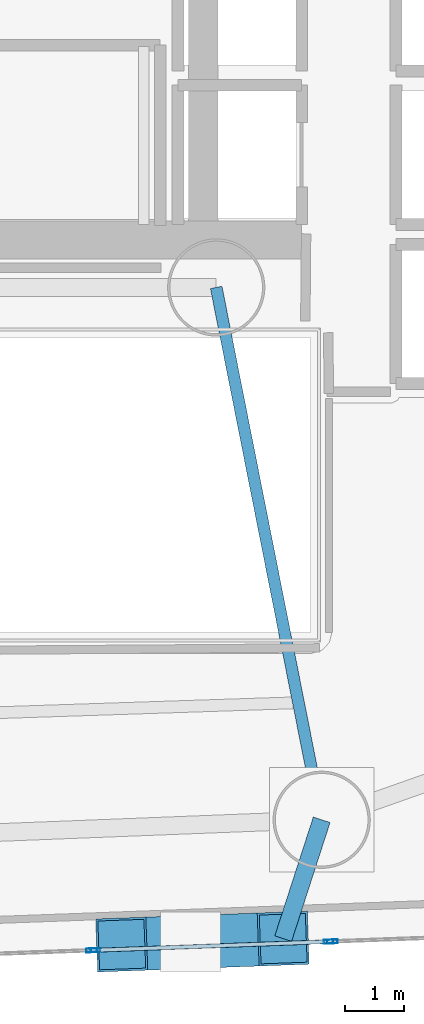
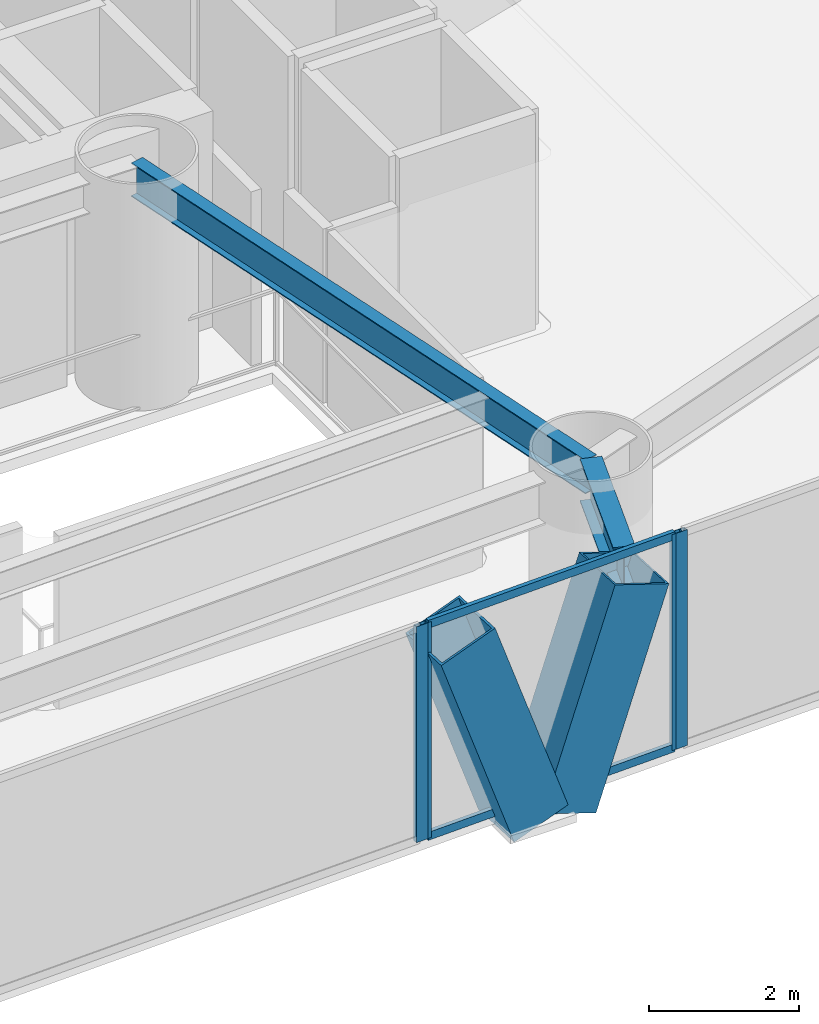
# One storey, part 6 of 23: 8 members, 2 beams, 3 elements without a shape of their own.
"""IFC4 building model written with IfcOpenShell, lengths in metres."""

from ifc_helpers import new_model, si_unit, direction, frame, origin, origin_2d, place, context, subcontext, project, spatial, hollow_rectangle, i_section, extrude, material, layer, layer_set, material_profile, profile_set, type_object, element, aggregate, save


model = new_model("IFC4")

# Units and contexts
model_context = context("Model", 3, precision=1e-05, world=origin(), true_north=direction((0.0, 1.0)))
body_context = subcontext(model_context, "Body", "Model", "MODEL_VIEW")
ifc_project = project(units=[si_unit("LENGTHUNIT", "METRE"), si_unit("AREAUNIT", "SQUARE_METRE"), si_unit("VOLUMEUNIT", "CUBIC_METRE"), si_unit("PLANEANGLEUNIT", "RADIAN"), si_unit("MASSUNIT", "GRAM", prefix="KILO")], contexts=[model_context])

# Site, building, storey
site_placement = place(None, origin())
site = spatial("IfcSite", under=ifc_project, at=site_placement, CompositionType="ELEMENT")
building_placement = place(site_placement, origin())
building = spatial("IfcBuilding", under=site, at=building_placement, Name="Qianvela Tower", CompositionType="ELEMENT")
storey_placement = place(building_placement, frame((0.0, 0.0, 52.5)))
storey = spatial("IfcBuildingStorey", under=building, at=storey_placement, Name="L12", CompositionType="ELEMENT", Elevation=52.5)

# Beams
ifc_material_1 = material(Name="Steel Q355B", Category="steel")
ifc_material_profile_1 = material_profile(ifc_material_1, i_section(OverallWidth=0.199951171875, OverallDepth=0.550048828125, WebThickness=0.010009765625, FlangeThickness=0.01611328125, at=origin_2d()), Name="HN550x200x10x16")
ifc_profile_set_1 = profile_set([ifc_material_profile_1], Name="Steel Q355B")
beam_type_1 = type_object("IfcBeamType", Name="BM-HN550-GIRD", PredefinedType="BEAM", material=ifc_profile_set_1)
beam_1_placement = place(storey_placement, frame((38.39990234375, 23.85009765625, 3.242919921875), z_axis=(0.194325825688, -0.980937038485, 0.0), x_axis=(0.980937038485, 0.194325825688, 0.0)))
element("IfcBeam", 1, at=beam_1_placement, inside=storey, type_object=beam_type_1, Name="L12 Radial Primary Floor Girder 6", PredefinedType="BEAM", context=body_context, shape_type="SweptSolid", body=[
    extrude(i_section(OverallWidth=0.199951171875, OverallDepth=0.550048828125, WebThickness=0.010009765625, FlangeThickness=0.01611328125, at=origin_2d()), origin(), (0.0, 0.0, 1.0), 9.20654296875),
])
ifc_material_2 = material(Name="Steel Q355B", Category="steel")
ifc_material_profile_2 = material_profile(ifc_material_2, i_section(OverallWidth=0.300048828125, OverallDepth=0.699951171875, WebThickness=0.012939453125, FlangeThickness=0.02392578125, at=origin_2d()), Name="HN700x300x13x24")
ifc_profile_set_2 = profile_set([ifc_material_profile_2], Name="Steel Q355B")
beam_type_2 = type_object("IfcBeamType", Name="BM-HN700-SPAND", PredefinedType="SPANDREL", material=ifc_profile_set_2)
beam_2_placement = place(storey_placement, frame((40.18896484375, 14.819091796875, 3.16796875), z_axis=(-0.308163794717, -0.951333314683, 0.0), x_axis=(0.951333314683, -0.308163794717, 0.0)))
element("IfcBeam", 2, at=beam_2_placement, inside=storey, type_object=beam_type_2, Name="L12 Mega-Brace Column Tie Bracket F3-2", PredefinedType="SPANDREL", context=body_context, shape_type="SweptSolid", body=[
    extrude(i_section(OverallWidth=0.300048828125, OverallDepth=0.699951171875, WebThickness=0.012939453125, FlangeThickness=0.02392578125, at=origin_2d()), origin(), (0.0, 0.0, 1.0), 2.119140625),
])

# Curtain wall, members
ifc_material_3 = material(Name="Anodised Architectural Aluminium and Insulated Spandrel Panel", Category="aluminium")
ifc_layer_1 = layer(ifc_material_3, 0.179931640625)
ifc_layer_set_1 = layer_set([ifc_layer_1], Name="Anodised Architectural Aluminium and Insulated Spandrel Panel")
curtain_wall_type_1 = type_object("IfcCurtainWallType", Name="CW-BRACEBAY", PredefinedType="USERDEFINED", material=ifc_layer_set_1)
curtain_wall_1_placement = place(storey_placement, origin())
curtain_wall_1 = element("IfcCurtainWall", 3, at=curtain_wall_1_placement, inside=storey, type_object=curtain_wall_type_1, Name="L12 CW-BRACEBAY Curtain Wall 06B", ObjectType="CURTAIN_WALL_SYSTEM", PredefinedType="USERDEFINED")
ifc_material_4 = material(Name="Anodised Architectural Aluminium 6063-T6", Category="aluminium")
ifc_material_profile_3 = material_profile(ifc_material_4, hollow_rectangle(XDim=0.06494140625, YDim=0.159912109375, WallThickness=0.0048828125, at=origin_2d()), Name="ALU-MULL-65x160")
ifc_profile_set_3 = profile_set([ifc_material_profile_3], Name="Anodised Architectural Aluminium 6063-T6")
member_type_1 = type_object("IfcMemberType", Name="CW-BRACEBAY-MULL", PredefinedType="MULLION", material=ifc_profile_set_3)
member_1_placement = place(storey_placement, frame((36.35205078125, 12.605712890625, 0.0), z_axis=(0.0, 0.0, 1.0), x_axis=(-0.036865372203, 0.99932024113, 0.0)))
member_1 = element("IfcMember", 4, at=member_1_placement, type_object=member_type_1, Name="CW-9 mullion 1", PredefinedType="MULLION", context=body_context, shape_type="SweptSolid", body=[
    extrude(hollow_rectangle(XDim=0.06494140625, YDim=0.159912109375, WallThickness=0.0048828125, at=origin_2d()), origin(), (0.0, 0.0, 1.0), 3.52001953125),
])
member_2_placement = place(storey_placement, frame((40.304443359375, 12.75146484375, 0.0), z_axis=(0.0, 0.0, 1.0), x_axis=(-0.036865372203, 0.99932024113, 0.0)))
member_2 = element("IfcMember", 5, at=member_2_placement, type_object=member_type_1, Name="CW-9 mullion 2", PredefinedType="MULLION", context=body_context, shape_type="SweptSolid", body=[
    extrude(hollow_rectangle(XDim=0.06494140625, YDim=0.159912109375, WallThickness=0.0048828125, at=origin_2d()), origin(), (0.0, 0.0, 1.0), 3.52001953125),
])
ifc_material_5 = material(Name="Anodised Architectural Aluminium 6063-T6", Category="aluminium")
ifc_material_profile_4 = material_profile(ifc_material_5, hollow_rectangle(XDim=0.06494140625, YDim=0.1298828125, WallThickness=0.00439453125, at=origin_2d()), Name="ALU-TRAN-65x130")
ifc_profile_set_4 = profile_set([ifc_material_profile_4], Name="Anodised Architectural Aluminium 6063-T6")
member_type_2 = type_object("IfcMemberType", Name="CW-BRACEBAY-TRAN", PredefinedType="USERDEFINED", material=ifc_profile_set_4)
member_3_placement = place(storey_placement, frame((36.384521484375, 12.606689453125, 0.032470703125), z_axis=(0.999318868489, 0.036902561997, 0.0), x_axis=(-0.036902561997, 0.999318868489, 0.0)))
member_3 = element("IfcMember", 6, at=member_3_placement, type_object=member_type_2, Name="CW-9 transom 1.1", ObjectType="TRANSOM", PredefinedType="USERDEFINED", context=body_context, shape_type="SweptSolid", body=[
    extrude(hollow_rectangle(XDim=0.06494140625, YDim=0.1298828125, WallThickness=0.00439453125, at=origin_2d()), origin(), (0.0, 0.0, 1.0), 3.89013671875),
])
member_4_placement = place(storey_placement, frame((36.384521484375, 12.606689453125, 3.487548828125), z_axis=(0.999318868489, 0.036902561997, 0.0), x_axis=(-0.036902561997, 0.999318868489, 0.0)))
member_4 = element("IfcMember", 7, at=member_4_placement, type_object=member_type_2, Name="CW-9 transom 1.2", ObjectType="TRANSOM", PredefinedType="USERDEFINED", context=body_context, shape_type="SweptSolid", body=[
    extrude(hollow_rectangle(XDim=0.06494140625, YDim=0.1298828125, WallThickness=0.00439453125, at=origin_2d()), origin(), (0.0, 0.0, 1.0), 3.89013671875),
])
aggregate(curtain_wall_1, [member_1, member_2, member_3, member_4])

# Curtain wall, member
ifc_material_6 = material(Name="Anodised Architectural Aluminium and Low-E Glass", Category="aluminium")
ifc_layer_2 = layer(ifc_material_6, 0.179931640625)
ifc_layer_set_2 = layer_set([ifc_layer_2], Name="Anodised Architectural Aluminium and Low-E Glass")
curtain_wall_type_2 = type_object("IfcCurtainWallType", Name="CW-COLIV-Z12", PredefinedType="USERDEFINED", material=ifc_layer_set_2)
curtain_wall_2_placement = place(storey_placement, origin())
curtain_wall_2 = element("IfcCurtainWall", 8, at=curtain_wall_2_placement, inside=storey, type_object=curtain_wall_type_2, Name="L12 CW-COLIV-Z12 Curtain Wall 06A", ObjectType="CURTAIN_WALL_SYSTEM", PredefinedType="USERDEFINED")
ifc_material_7 = material(Name="Anodised Architectural Aluminium 6063-T6", Category="aluminium")
ifc_material_profile_5 = material_profile(ifc_material_7, hollow_rectangle(XDim=0.070068359375, YDim=0.179931640625, WallThickness=0.0048828125, at=origin_2d()), Name="ALU-MULL-70x180")
ifc_profile_set_5 = profile_set([ifc_material_profile_5], Name="Anodised Architectural Aluminium 6063-T6")
member_type_3 = type_object("IfcMemberType", Name="CW-COLIV-Z12-MULL", PredefinedType="MULLION", material=ifc_profile_set_5)
member_5_placement = place(storey_placement, frame((36.28466796875, 12.60302734375, 0.0), z_axis=(0.0, 0.0, 1.0), x_axis=(-0.036872512444, 0.999319977698, 0.0)))
member_5 = element("IfcMember", 9, at=member_5_placement, type_object=member_type_3, Name="CW-3 mullion 2", PredefinedType="MULLION", context=body_context, shape_type="SweptSolid", body=[
    extrude(hollow_rectangle(XDim=0.070068359375, YDim=0.179931640625, WallThickness=0.0048828125, at=origin_2d()), origin(), (0.0, 0.0, 1.0), 3.52001953125),
])
aggregate(curtain_wall_2, [member_5])

curtain_wall_3_placement = place(storey_placement, origin())
curtain_wall_3 = element("IfcCurtainWall", 10, at=curtain_wall_3_placement, inside=storey, type_object=curtain_wall_type_2, Name="L12 CW-COLIV-Z12 Curtain Wall 06C", ObjectType="CURTAIN_WALL_SYSTEM", PredefinedType="USERDEFINED")
member_6_placement = place(storey_placement, frame((40.371826171875, 12.75390625, 0.0), z_axis=(0.0, 0.0, 1.0), x_axis=(-0.036876057012, 0.999319846906, 0.0)))
member_6 = element("IfcMember", 11, at=member_6_placement, type_object=member_type_3, Name="CW-3 mullion 1", PredefinedType="MULLION", context=body_context, shape_type="SweptSolid", body=[
    extrude(hollow_rectangle(XDim=0.070068359375, YDim=0.179931640625, WallThickness=0.0048828125, at=origin_2d()), origin(), (0.0, 0.0, 1.0), 3.52001953125),
])
aggregate(curtain_wall_3, [member_6])

# Members
ifc_material_8 = material(Name="Steel Q420GJC", Category="steel")
ifc_material_profile_6 = material_profile(ifc_material_8, hollow_rectangle(XDim=0.89990234375, YDim=0.89990234375, WallThickness=0.035888671875, at=origin_2d()), Name="MBOX-900x900x36")
ifc_profile_set_6 = profile_set([ifc_material_profile_6], Name="Steel Q420GJC")
member_type_4 = type_object("IfcMemberType", Name="MBR-MBRACE-900", PredefinedType="BRACE", material=ifc_profile_set_6)
for number, where, z_axis, x_axis, name in (
    (12, (37.94677734375, 12.744384765625, -0.139892578125), (-0.328204701918, -0.012060198265, 0.944529631752), (0.036721181, -0.999325549992, 0.0), "L12 Tier 2 Exterior Mega-Brace F3A"),
    (13, (38.386474609375, 12.7607421875, -0.139892578125), (0.328204701918, 0.012060198265, 0.944529631752), (-0.036721181, 0.999325549992, 0.0), "L12 Tier 2 Exterior Mega-Brace F3B"),
):
    element("IfcMember", number, at=place(storey_placement, frame(where, z_axis=z_axis, x_axis=x_axis)), inside=storey, type_object=member_type_4, Name=name, PredefinedType="BRACE", context=body_context, shape_type="SweptSolid", body=[
        extrude(hollow_rectangle(XDim=0.89990234375, YDim=0.89990234375, WallThickness=0.035888671875, at=origin_2d()), origin(), (0.0, 0.0, 1.0), 3.502197265625),
    ])

save(model, "model.ifc")
